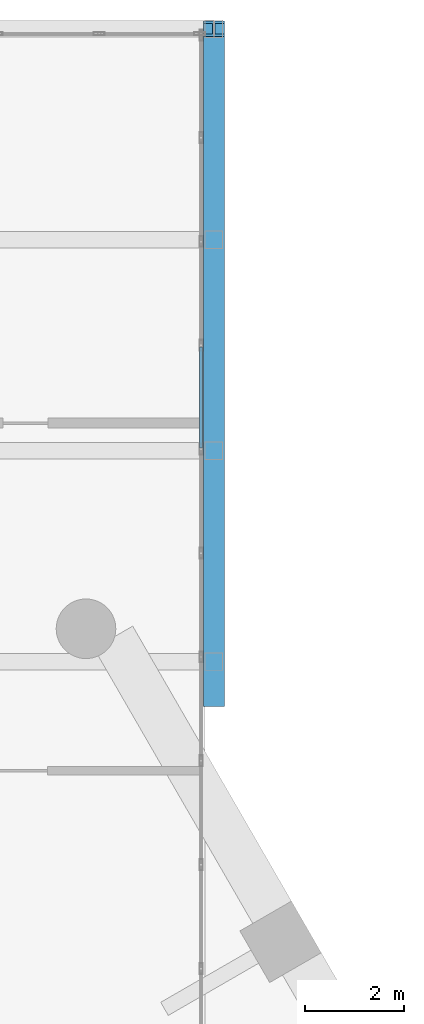
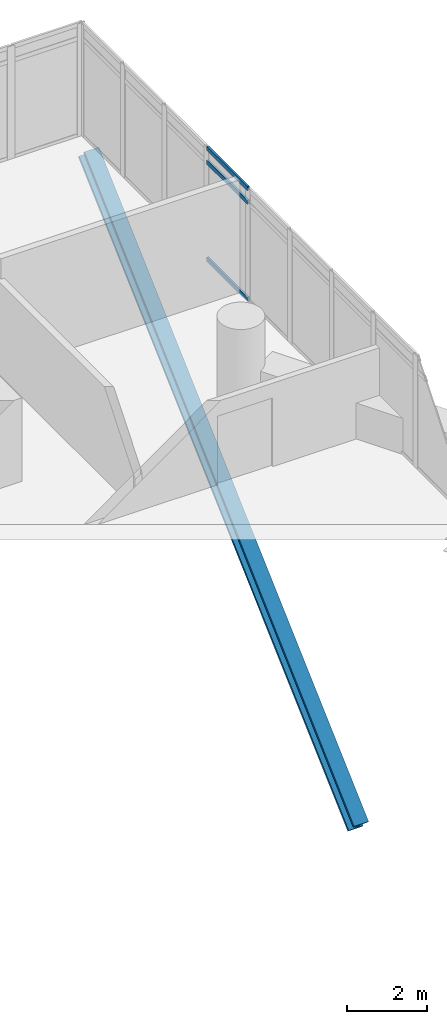
# One storey, part 25 of 37: 4 members, 1 element without a shape of its own.
"""IFC4 building model written with IfcOpenShell, lengths in metres."""

from ifc_helpers import new_model, si_unit, direction, frame, origin, origin_2d, place, context, subcontext, project, spatial, hollow_rectangle, i_section, extrude, material, material_profile, profile_set, type_object, element, aggregate, save


model = new_model("IFC4")

# Units and contexts
model_context = context("Model", 3, precision=1e-05, world=origin(), true_north=direction((0.0, 1.0)))
body_context = subcontext(model_context, "Body", "Model", "MODEL_VIEW")
ifc_project = project(units=[si_unit("LENGTHUNIT", "METRE"), si_unit("AREAUNIT", "SQUARE_METRE"), si_unit("VOLUMEUNIT", "CUBIC_METRE"), si_unit("PLANEANGLEUNIT", "RADIAN"), si_unit("MASSUNIT", "GRAM", prefix="KILO")], contexts=[model_context])

# Site, building, storey
site_placement = place(None, origin())
site = spatial("IfcSite", under=ifc_project, at=site_placement, CompositionType="ELEMENT")
building_placement = place(site_placement, origin())
building = spatial("IfcBuilding", under=site, at=building_placement, Name="Ostrander Bayou Hotel Tower", CompositionType="ELEMENT")
storey_placement = place(building_placement, frame((0.0, 0.0, 93.0)))
storey = spatial("IfcBuildingStorey", under=building, at=storey_placement, Name="L23", CompositionType="ELEMENT", Elevation=93.0)

# Curtain wall, members
ifc_material_1 = material(Name="Aluminium and clear glass", Category="aluminium")
curtain_wall_type = type_object("IfcCurtainWallType", Name="CW-BAR glazed wall", PredefinedType="NOTDEFINED", material=ifc_material_1)
curtain_wall_placement = place(storey_placement, origin())
curtain_wall = element("IfcCurtainWall", 1, at=curtain_wall_placement, inside=storey, type_object=curtain_wall_type, Name="CW-BAR L23:SB2N:W", PredefinedType="NOTDEFINED")
ifc_material_2 = material(Name="Aluminium", Category="aluminium")
ifc_material_profile_1 = material_profile(ifc_material_2, hollow_rectangle(XDim=0.06005859375, YDim=0.1298828125, WallThickness=0.00390625, at=origin_2d()))
ifc_profile_set_1 = profile_set([ifc_material_profile_1], Name="Aluminium")
member_type_1 = type_object("IfcMemberType", Name="CW-BR transom 60 x 130 mm", PredefinedType="USERDEFINED", material=ifc_profile_set_1)
member_1_placement = place(storey_placement, frame((13.3671875, 23.105224609375, 0.030029296875), z_axis=(0.0, 1.0, 0.0), x_axis=(-1.0, 0.0, 0.0)))
member_1 = element("IfcMember", 2, at=member_1_placement, type_object=member_type_1, Name="CW-BAR transom 7.1", ObjectType="TRANSOM", PredefinedType="USERDEFINED", context=body_context, shape_type="SweptSolid", body=[
    extrude(hollow_rectangle(XDim=0.06005859375, YDim=0.1298828125, WallThickness=0.00390625, at=origin_2d()), origin(), (0.0, 0.0, 1.0), 2.032470703125),
])
member_2_placement = place(storey_placement, frame((13.3671875, 23.105224609375, 3.0), z_axis=(0.0, 1.0, 0.0), x_axis=(-1.0, 0.0, 0.0)))
member_2 = element("IfcMember", 3, at=member_2_placement, type_object=member_type_1, Name="CW-BAR transom 7.2", ObjectType="TRANSOM", PredefinedType="USERDEFINED", context=body_context, shape_type="SweptSolid", body=[
    extrude(hollow_rectangle(XDim=0.06005859375, YDim=0.1298828125, WallThickness=0.00390625, at=origin_2d()), origin(), (0.0, 0.0, 1.0), 2.032470703125),
])
member_3_placement = place(storey_placement, frame((13.3671875, 23.105224609375, 3.419921875), z_axis=(0.0, 1.0, 0.0), x_axis=(-1.0, 0.0, 0.0)))
member_3 = element("IfcMember", 4, at=member_3_placement, type_object=member_type_1, Name="CW-BAR transom 7.3", ObjectType="TRANSOM", PredefinedType="USERDEFINED", context=body_context, shape_type="SweptSolid", body=[
    extrude(hollow_rectangle(XDim=0.06005859375, YDim=0.1298828125, WallThickness=0.00390625, at=origin_2d()), origin(), (0.0, 0.0, 1.0), 2.032470703125),
])
aggregate(curtain_wall, [member_1, member_2, member_3])

# Member
ifc_material_3 = material(Name="Steel ASTM A992", Category="steel")
ifc_material_profile_2 = material_profile(ifc_material_3, i_section(OverallWidth=0.42138671875, OverallDepth=0.464599609375, WebThickness=0.044921875, FlangeThickness=0.072509765625, at=origin_2d()))
ifc_profile_set_2 = profile_set([ifc_material_profile_2], Name="Steel ASTM A992")
member_type_2 = type_object("IfcMemberType", Name="TK1 bar kicker strut W14x398", PredefinedType="BRACE", material=ifc_profile_set_2)
member_4_placement = place(storey_placement, frame((13.6201171875, 31.54541015625, -0.671875), z_axis=(0.0, -0.735701590363, -0.677305817144), x_axis=(1.0, 0.0, 0.0)))
element("IfcMember", 5, at=member_4_placement, inside=storey, type_object=member_type_2, Name="TK1 SB2WB kicker", PredefinedType="BRACE", context=body_context, shape_type="SweptSolid", body=[
    extrude(i_section(OverallWidth=0.42138671875, OverallDepth=0.464599609375, WebThickness=0.044921875, FlangeThickness=0.072509765625, at=origin_2d()), origin(), (0.0, 0.0, 1.0), 18.349609375),
])

save(model, "model.ifc")
